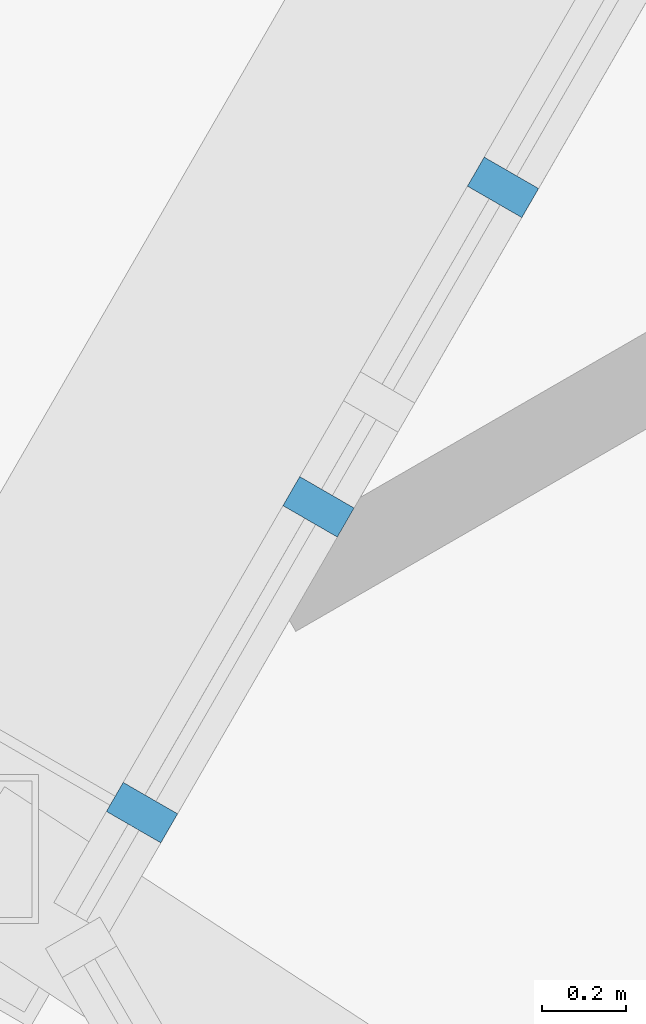
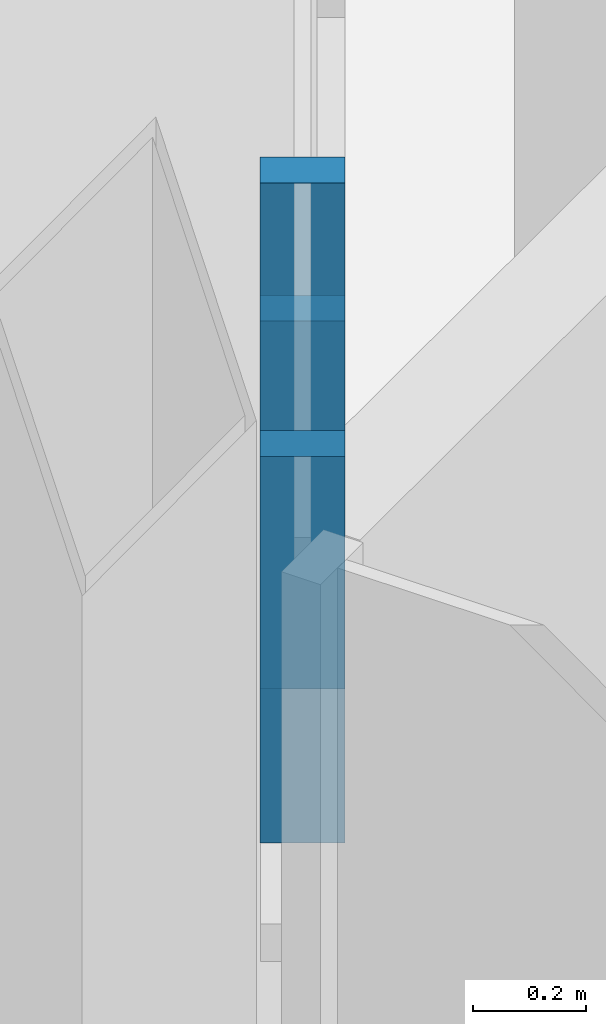
# One storey, part 9 of 24: 3 members, 1 element without a shape of its own.
"""IFC4 building model written with IfcOpenShell, lengths in metres."""

from ifc_helpers import new_model, si_unit, direction, frame, origin, origin_2d, place, context, subcontext, project, spatial, rectangle, extrude, material, layer, layer_set, material_profile, profile_set, type_object, element, aggregate, save


model = new_model("IFC4")

# Units and contexts
model_context = context("Model", 3, precision=1e-05, world=origin(), true_north=direction((0.0, 1.0)))
body_context = subcontext(model_context, "Body", "Model", "MODEL_VIEW")
ifc_project = project(units=[si_unit("LENGTHUNIT", "METRE"), si_unit("AREAUNIT", "SQUARE_METRE"), si_unit("VOLUMEUNIT", "CUBIC_METRE"), si_unit("PLANEANGLEUNIT", "RADIAN"), si_unit("MASSUNIT", "GRAM", prefix="KILO")], contexts=[model_context])

# Site, building, storey
site_placement = place(None, origin())
site = spatial("IfcSite", under=ifc_project, at=site_placement, CompositionType="ELEMENT")
building_placement = place(site_placement, origin())
building = spatial("IfcBuilding", under=site, at=building_placement, Name="Firuza Gate Tower and Library", CompositionType="ELEMENT")
storey_placement = place(building_placement, frame((0.0, 0.0, 323.10009765625)))
storey = spatial("IfcBuildingStorey", under=building, at=storey_placement, Name="L79", CompositionType="ELEMENT", Elevation=323.10009765625)

# Curtain wall, members
ifc_material_1 = material(Name="Aluminium 6063-T6", Category="aluminium")
ifc_layer = layer(ifc_material_1, 0.14990234375)
ifc_layer_set = layer_set([ifc_layer], Name="Unitised curtain wall, residences")
curtain_wall_type = type_object("IfcCurtainWallType", Name="Unitised curtain wall, residences", PredefinedType="NOTDEFINED", material=ifc_layer_set)
curtain_wall_placement = place(storey_placement, origin())
curtain_wall = element("IfcCurtainWall", 1, at=curtain_wall_placement, inside=storey, type_object=curtain_wall_type, Name="CW3 L79 W face", PredefinedType="NOTDEFINED")
ifc_material_2 = material(Name="Aluminium 6063-T6", Category="aluminium")
ifc_material_profile = material_profile(ifc_material_2, rectangle(XDim=0.14990234375, YDim=0.080078125, at=origin_2d()))
ifc_profile_set = profile_set([ifc_material_profile], Name="Aluminium 6063-T6")
member_type = type_object("IfcMemberType", Name="Curtain wall mullion 80x150", PredefinedType="MULLION", material=ifc_profile_set)
member_1_placement = place(storey_placement, frame((52.23681640625, 67.2509765625, 1.489990234375), z_axis=(0.0, 0.0, 1.0), x_axis=(0.866025403784, -0.5, 0.0)))
member_1 = element("IfcMember", 2, at=member_1_placement, type_object=member_type, Name="Mullion", PredefinedType="MULLION", context=body_context, shape_type="SweptSolid", body=[
    extrude(rectangle(XDim=0.14990234375, YDim=0.080078125, at=origin_2d()), origin(), (0.0, 0.0, 1.0), 0.794921875),
])
member_2_placement = place(storey_placement, frame((51.79638671875, 66.48828125, 2.364990234375), z_axis=(0.0, 0.0, 1.0), x_axis=(0.866025403784, -0.5, 0.0)))
member_2 = element("IfcMember", 3, at=member_2_placement, type_object=member_type, Name="Mullion", PredefinedType="MULLION", context=body_context, shape_type="SweptSolid", body=[
    extrude(rectangle(XDim=0.14990234375, YDim=0.080078125, at=origin_2d()), origin(), (0.0, 0.0, 1.0), 0.8349609375),
])
member_3_placement = place(storey_placement, frame((51.375, 65.75830078125, 2.364990234375), z_axis=(0.0, 0.0, 1.0), x_axis=(0.866025403784, -0.5, 0.0)))
member_3 = element("IfcMember", 4, at=member_3_placement, type_object=member_type, Name="Mullion", PredefinedType="MULLION", context=body_context, shape_type="SweptSolid", body=[
    extrude(rectangle(XDim=0.14990234375, YDim=0.080078125, at=origin_2d()), origin(), (0.0, 0.0, 1.0), 0.8349609375),
])
aggregate(curtain_wall, [member_1, member_2, member_3])

save(model, "model.ifc")
